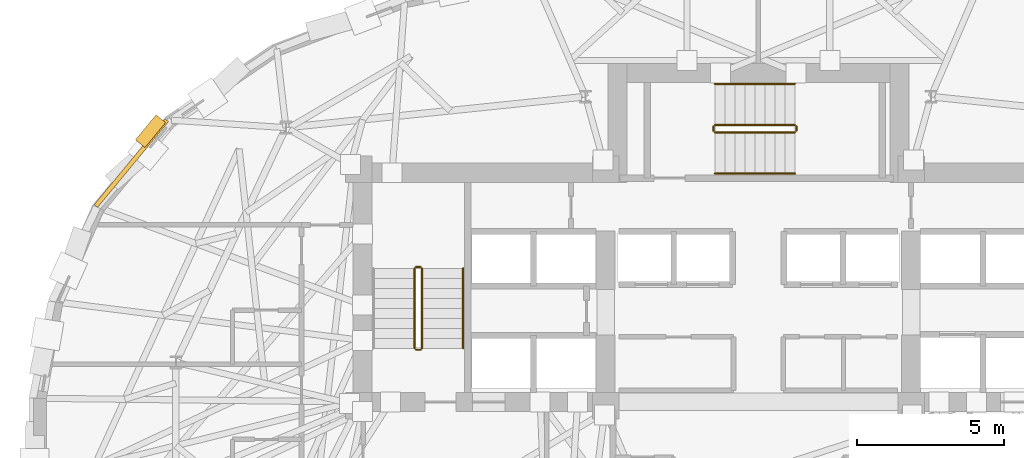
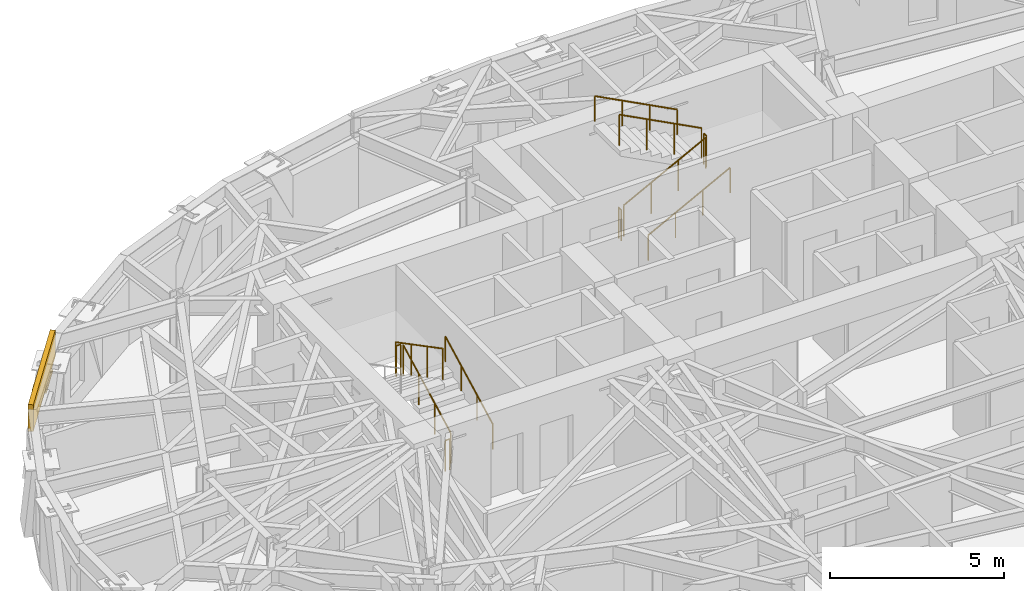
# One storey, part 13 of 15: 11 railings, 1 covering, 1 shading device.
"""IFC4 building model written with IfcOpenShell, lengths in metres."""

from ifc_helpers import new_model, si_unit, direction, frame, origin, origin_2d, place, context, subcontext, project, spatial, rectangle, circle, extrude, material, layer, layer_set, type_object, element, save


model = new_model("IFC4")

# Units and contexts
model_context = context("Model", 3, precision=1e-05, world=origin(), true_north=direction((0.0, 1.0)))
body_context = subcontext(model_context, "Body", "Model", "MODEL_VIEW")
ifc_project = project(units=[si_unit("LENGTHUNIT", "METRE"), si_unit("AREAUNIT", "SQUARE_METRE"), si_unit("VOLUMEUNIT", "CUBIC_METRE"), si_unit("PLANEANGLEUNIT", "RADIAN"), si_unit("MASSUNIT", "GRAM", prefix="KILO")], contexts=[model_context])

# Site, building, storey
site_placement = place(None, origin())
site = spatial("IfcSite", under=ifc_project, at=site_placement, CompositionType="ELEMENT")
building_placement = place(site_placement, origin())
building = spatial("IfcBuilding", under=site, at=building_placement, Name="Keldmark Tower", CompositionType="ELEMENT")
storey_placement = place(building_placement, frame((0.0, 0.0, 150.199951171875)))
storey = spatial("IfcBuildingStorey", under=building, at=storey_placement, Name="L40", CompositionType="ELEMENT", Elevation=150.199951171875)

# Shading device
ifc_material_1 = material(Name="Kasota Buff Limestone Bullnose and Bronze Anodized Aluminum", Category="masonry")
ifc_layer_1 = layer(ifc_material_1, 0.080078125)
ifc_layer_set_1 = layer_set([ifc_layer_1], Name="Kasota Buff Limestone Bullnose and Bronze Anodized Aluminum")
shading_device_type = type_object("IfcShadingDeviceType", Name="Deep-Set Punched Window Stone-and-Metal Sunshade", PredefinedType="AWNING", material=ifc_layer_set_1)
shading_device_placement = place(storey_placement, frame((-20.6904296875, 10.73974609375, 1.780029296875), z_axis=(0.0, 0.0, 1.0), x_axis=(0.637033916319, 0.770835773339, 0.0)))
element("IfcShadingDevice", 1, at=shading_device_placement, inside=storey, type_object=shading_device_type, Name="L40 Kasota Stone Window Sunshade 13", PredefinedType="AWNING", context=body_context, shape_type="SweptSolid", body=[
    extrude(rectangle(XDim=1.10009765625, YDim=0.419921875, at=origin_2d()), origin(), (0.0, 0.0, 1.0), 0.080078125),
])

# Covering
ifc_material_2 = material(Name="Honed Kasota Buff Dolomitic Limestone", Category="masonry")
ifc_layer_2 = layer(ifc_material_2, 0.074951171875)
ifc_layer_set_2 = layer_set([ifc_layer_2], Name="Honed Kasota Buff Dolomitic Limestone")
covering_type = type_object("IfcCoveringType", Name="Kasota Buff Limestone Spandrel Cladding Band", PredefinedType="CLADDING", material=ifc_layer_set_2)
covering_placement = place(storey_placement, frame((-21.343505859375, 9.6513671875, 2.239013671875), z_axis=(0.0, 0.0, 1.0), x_axis=(-0.637033916319, -0.770835773339, 0.0)))
element("IfcCovering", 2, at=covering_placement, inside=storey, type_object=covering_type, Name="L40 Kasota Limestone Spandrel Band 13", PredefinedType="CLADDING", context=body_context, shape_type="SweptSolid", body=[
    extrude(rectangle(XDim=3.78857421875, YDim=0.14990234375, at=origin_2d()), origin(), (0.0, 0.0, 1.0), 0.94091796875),
])

# Railings
ifc_material_3 = material(Name="Painted Steel ASTM A500 Grade B", Category="steel")
railing_type_1 = type_object("IfcRailingType", Name="Painted Steel Stair Well Guard 1100 mm", PredefinedType="GUARDRAIL", material=ifc_material_3)
railing_1_placement = place(storey_placement, frame((-11.449951171875, 3.35009765625, 0.177734375)))
element("IfcRailing", 3, at=railing_1_placement, inside=storey, type_object=railing_type_1, Name="L40 ST1 stair guard 1", PredefinedType="GUARDRAIL", context=body_context, shape_type="SweptSolid", body=[
    extrude(circle(Radius=0.02392578125, at=origin_2d()), frame((0.0, 0.0, 1.076171875), z_axis=(0.0, 0.886150474775, 0.463397600399), x_axis=(-1.0, 0.0, 0.0)), (0.0, 0.0, 1.0), 3.0693359375),
    extrude(circle(Radius=0.02099609375, at=origin_2d()), origin(), (0.0, 0.0, 1.0), 1.052001953125),
    extrude(circle(Radius=0.02099609375, at=origin_2d()), frame((0.0, 0.90673828125, 0.47412109375)), (0.0, 0.0, 1.0), 1.052001953125),
    extrude(circle(Radius=0.02099609375, at=origin_2d()), frame((0.0, 1.813232421875, 0.9482421875)), (0.0, 0.0, 1.0), 1.052001953125),
    extrude(circle(Radius=0.02099609375, at=origin_2d()), frame((0.0, 2.719970703125, 1.42236328125)), (0.0, 0.0, 1.0), 1.052001953125),
])
railing_2_placement = place(storey_placement, frame((-11.5, 6.1201171875, 1.60009765625)))
element("IfcRailing", 4, at=railing_2_placement, inside=storey, type_object=railing_type_1, Name="L40 ST1 stair guard 2", PredefinedType="GUARDRAIL", context=body_context, shape_type="SweptSolid", body=[
    extrude(circle(Radius=0.02392578125, at=origin_2d()), frame((0.0, 0.0, 1.076171875), z_axis=(-1.0, 0.0, 0.0), x_axis=(0.0, -1.0, 0.0)), (0.0, 0.0, 1.0), 0.14990234375),
    extrude(circle(Radius=0.02099609375, at=origin_2d()), origin(), (0.0, 0.0, 1.0), 1.052001953125),
    extrude(circle(Radius=0.02099609375, at=origin_2d()), frame((-0.14990234375, 0.0, 0.0)), (0.0, 0.0, 1.0), 1.052001953125),
])
railing_3_placement = place(storey_placement, frame((-11.699951171875, 6.070068359375, 1.77783203125)))
element("IfcRailing", 5, at=railing_3_placement, inside=storey, type_object=railing_type_1, Name="L40 ST1 stair guard 3", PredefinedType="GUARDRAIL", context=body_context, shape_type="SweptSolid", body=[
    extrude(circle(Radius=0.02392578125, at=origin_2d()), frame((0.0, 0.0, 1.076171875), z_axis=(0.0, -0.886183135912, 0.463335137482), x_axis=(1.0, 0.0, 0.0)), (0.0, 0.0, 1.0), 3.0693359375),
    extrude(circle(Radius=0.02099609375, at=origin_2d()), origin(), (0.0, 0.0, 1.0), 1.052001953125),
    extrude(circle(Radius=0.02099609375, at=origin_2d()), frame((0.0, -0.90673828125, 0.47412109375)), (0.0, 0.0, 1.0), 1.052001953125),
    extrude(circle(Radius=0.02099609375, at=origin_2d()), frame((0.0, -1.813232421875, 0.947998046875)), (0.0, 0.0, 1.0), 1.052001953125),
    extrude(circle(Radius=0.02099609375, at=origin_2d()), frame((0.0, -2.719970703125, 1.422119140625)), (0.0, 0.0, 1.0), 1.052001953125),
])
railing_4_placement = place(storey_placement, frame((-11.5, 3.300048828125, 0.0)))
element("IfcRailing", 6, at=railing_4_placement, inside=storey, type_object=railing_type_1, Name="L40 ST1 stair guard 4", PredefinedType="GUARDRAIL", context=body_context, shape_type="SweptSolid", body=[
    extrude(circle(Radius=0.02392578125, at=origin_2d()), frame((0.0, 0.0, 1.076171875), z_axis=(-1.0, 0.0, 0.0), x_axis=(0.0, -1.0, 0.0)), (0.0, 0.0, 1.0), 0.14990234375),
    extrude(circle(Radius=0.02099609375, at=origin_2d()), origin(), (0.0, 0.0, 1.0), 1.052001953125),
    extrude(circle(Radius=0.02099609375, at=origin_2d()), frame((-0.14990234375, 0.0, 0.0)), (0.0, 0.0, 1.0), 1.052001953125),
])
railing_5_placement = place(storey_placement, frame((-1.47509765625, 10.699951171875, 0.177734375)))
element("IfcRailing", 7, at=railing_5_placement, inside=storey, type_object=railing_type_1, Name="L40 ST3 stair guard 1", PredefinedType="GUARDRAIL", context=body_context, shape_type="SweptSolid", body=[
    extrude(circle(Radius=0.02392578125, at=origin_2d()), frame((0.0, 0.0, 1.076171875), z_axis=(0.886167553088, 0.0, 0.463364940252), x_axis=(0.0, 1.0, 0.0)), (0.0, 0.0, 1.0), 3.069580078125),
    extrude(circle(Radius=0.02099609375, at=origin_2d()), origin(), (0.0, 0.0, 1.0), 1.052001953125),
    extrude(circle(Radius=0.02099609375, at=origin_2d()), frame((0.90673828125, 0.0, 0.47412109375)), (0.0, 0.0, 1.0), 1.052001953125),
    extrude(circle(Radius=0.02099609375, at=origin_2d()), frame((1.8134765625, 0.0, 0.9482421875)), (0.0, 0.0, 1.0), 1.052001953125),
    extrude(circle(Radius=0.02099609375, at=origin_2d()), frame((2.72021484375, 0.0, 1.42236328125)), (0.0, 0.0, 1.0), 1.052001953125),
])
railing_6_placement = place(storey_placement, frame((1.294921875, 10.75, 1.60009765625)))
element("IfcRailing", 8, at=railing_6_placement, inside=storey, type_object=railing_type_1, Name="L40 ST3 stair guard 2", PredefinedType="GUARDRAIL", context=body_context, shape_type="SweptSolid", body=[
    extrude(circle(Radius=0.02392578125, at=origin_2d()), frame((0.0, 0.0, 1.076171875), z_axis=(0.0, 1.0, 0.0), x_axis=(-1.0, 0.0, 0.0)), (0.0, 0.0, 1.0), 0.14990234375),
    extrude(circle(Radius=0.02099609375, at=origin_2d()), origin(), (0.0, 0.0, 1.0), 1.052001953125),
    extrude(circle(Radius=0.02099609375, at=origin_2d()), frame((0.0, 0.14990234375, 0.0)), (0.0, 0.0, 1.0), 1.052001953125),
])
railing_7_placement = place(storey_placement, frame((1.2451171875, 10.949951171875, 1.77783203125)))
element("IfcRailing", 9, at=railing_7_placement, inside=storey, type_object=railing_type_1, Name="L40 ST3 stair guard 3", PredefinedType="GUARDRAIL", context=body_context, shape_type="SweptSolid", body=[
    extrude(circle(Radius=0.02392578125, at=origin_2d()), frame((0.0, 0.0, 1.076171875), z_axis=(-0.886200210249, 0.0, 0.463302479331), x_axis=(0.0, -1.0, 0.0)), (0.0, 0.0, 1.0), 3.069580078125),
    extrude(circle(Radius=0.02099609375, at=origin_2d()), origin(), (0.0, 0.0, 1.0), 1.052001953125),
    extrude(circle(Radius=0.02099609375, at=origin_2d()), frame((-0.90673828125, 0.0, 0.47412109375)), (0.0, 0.0, 1.0), 1.052001953125),
    extrude(circle(Radius=0.02099609375, at=origin_2d()), frame((-1.8134765625, 0.0, 0.947998046875)), (0.0, 0.0, 1.0), 1.052001953125),
    extrude(circle(Radius=0.02099609375, at=origin_2d()), frame((-2.72021484375, 0.0, 1.422119140625)), (0.0, 0.0, 1.0), 1.052001953125),
])
railing_8_placement = place(storey_placement, frame((-1.52490234375, 10.75, 0.0)))
element("IfcRailing", 10, at=railing_8_placement, inside=storey, type_object=railing_type_1, Name="L40 ST3 stair guard 4", PredefinedType="GUARDRAIL", context=body_context, shape_type="SweptSolid", body=[
    extrude(circle(Radius=0.02392578125, at=origin_2d()), frame((0.0, 0.0, 1.076171875), z_axis=(0.0, 1.0, 0.0), x_axis=(-1.0, 0.0, 0.0)), (0.0, 0.0, 1.0), 0.14990234375),
    extrude(circle(Radius=0.02099609375, at=origin_2d()), origin(), (0.0, 0.0, 1.0), 1.052001953125),
    extrude(circle(Radius=0.02099609375, at=origin_2d()), frame((0.0, 0.14990234375, 0.0)), (0.0, 0.0, 1.0), 1.052001953125),
])
ifc_material_4 = material(Name="Stainless Steel AISI 316L", Category="steel")
railing_type_2 = type_object("IfcRailingType", Name="Stainless Steel Stair Handrail 900 mm", PredefinedType="HANDRAIL", material=ifc_material_4)
railing_9_placement = place(storey_placement, frame((-10.050048828125, 3.35009765625, 0.177734375)))
element("IfcRailing", 11, at=railing_9_placement, inside=storey, type_object=railing_type_2, Name="L40 ST1 stair handrail 1", PredefinedType="HANDRAIL", context=body_context, shape_type="SweptSolid", body=[
    extrude(circle(Radius=0.02392578125, at=origin_2d()), frame((0.0, 0.0, 0.8759765625), z_axis=(0.0, 0.886150474775, 0.463397600399), x_axis=(-1.0, 0.0, 0.0)), (0.0, 0.0, 1.0), 3.0693359375),
    extrude(circle(Radius=0.02099609375, at=origin_2d()), origin(), (0.0, 0.0, 1.0), 0.851806640625),
    extrude(circle(Radius=0.02099609375, at=origin_2d()), frame((0.0, 0.90673828125, 0.47412109375)), (0.0, 0.0, 1.0), 0.851806640625),
    extrude(circle(Radius=0.02099609375, at=origin_2d()), frame((0.0, 1.813232421875, 0.9482421875)), (0.0, 0.0, 1.0), 0.851806640625),
    extrude(circle(Radius=0.02099609375, at=origin_2d()), frame((0.0, 2.719970703125, 1.42236328125)), (0.0, 0.0, 1.0), 0.851806640625),
])
railing_10_placement = place(storey_placement, frame((-1.47509765625, 9.300048828125, 0.177734375)))
element("IfcRailing", 12, at=railing_10_placement, inside=storey, type_object=railing_type_2, Name="L40 ST3 stair handrail 1", PredefinedType="HANDRAIL", context=body_context, shape_type="SweptSolid", body=[
    extrude(circle(Radius=0.02392578125, at=origin_2d()), frame((0.0, 0.0, 0.8759765625), z_axis=(0.886167553088, 0.0, 0.463364940252), x_axis=(0.0, 1.0, 0.0)), (0.0, 0.0, 1.0), 3.069580078125),
    extrude(circle(Radius=0.02099609375, at=origin_2d()), origin(), (0.0, 0.0, 1.0), 0.851806640625),
    extrude(circle(Radius=0.02099609375, at=origin_2d()), frame((0.90673828125, 0.0, 0.47412109375)), (0.0, 0.0, 1.0), 0.851806640625),
    extrude(circle(Radius=0.02099609375, at=origin_2d()), frame((1.8134765625, 0.0, 0.9482421875)), (0.0, 0.0, 1.0), 0.851806640625),
    extrude(circle(Radius=0.02099609375, at=origin_2d()), frame((2.72021484375, 0.0, 1.42236328125)), (0.0, 0.0, 1.0), 0.851806640625),
])
railing_11_placement = place(storey_placement, frame((1.2451171875, 12.35009765625, 1.77783203125)))
element("IfcRailing", 13, at=railing_11_placement, inside=storey, type_object=railing_type_2, Name="L40 ST3 stair handrail 2", PredefinedType="HANDRAIL", context=body_context, shape_type="SweptSolid", body=[
    extrude(circle(Radius=0.02392578125, at=origin_2d()), frame((0.0, 0.0, 0.8759765625), z_axis=(-0.886200210249, 0.0, 0.463302479331), x_axis=(0.0, -1.0, 0.0)), (0.0, 0.0, 1.0), 3.069580078125),
    extrude(circle(Radius=0.02099609375, at=origin_2d()), origin(), (0.0, 0.0, 1.0), 0.851806640625),
    extrude(circle(Radius=0.02099609375, at=origin_2d()), frame((-0.90673828125, 0.0, 0.47412109375)), (0.0, 0.0, 1.0), 0.851806640625),
    extrude(circle(Radius=0.02099609375, at=origin_2d()), frame((-1.8134765625, 0.0, 0.947998046875)), (0.0, 0.0, 1.0), 0.851806640625),
    extrude(circle(Radius=0.02099609375, at=origin_2d()), frame((-2.72021484375, 0.0, 1.422119140625)), (0.0, 0.0, 1.0), 0.851806640625),
])

save(model, "model.ifc")
